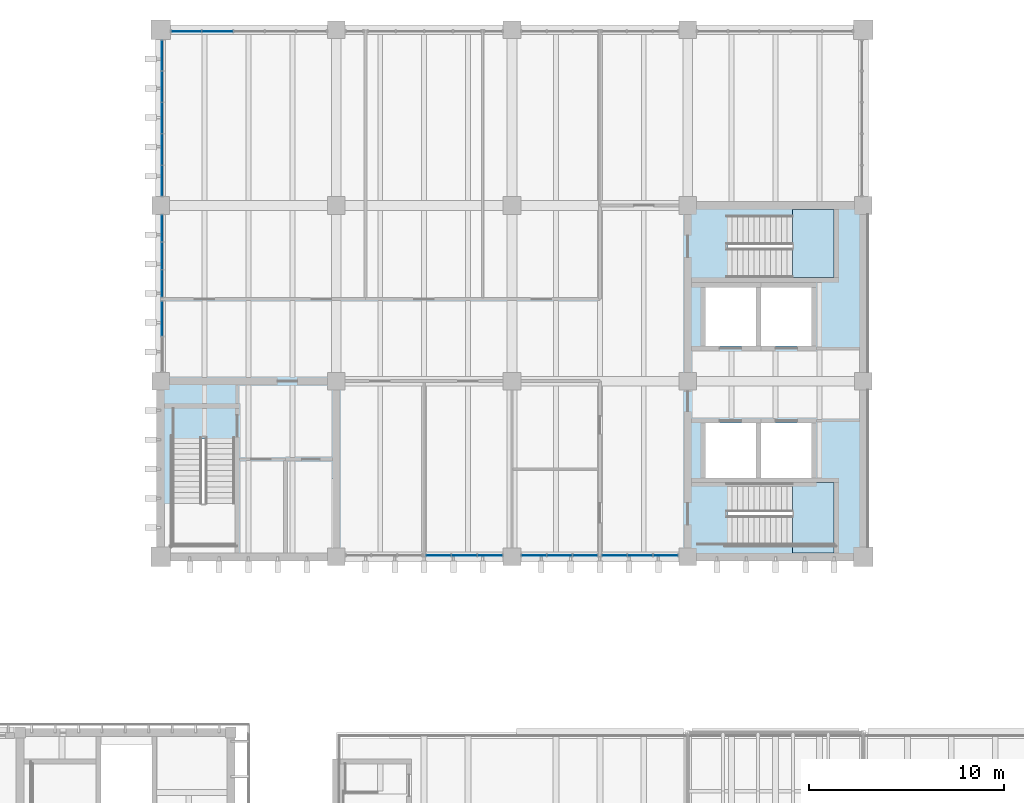
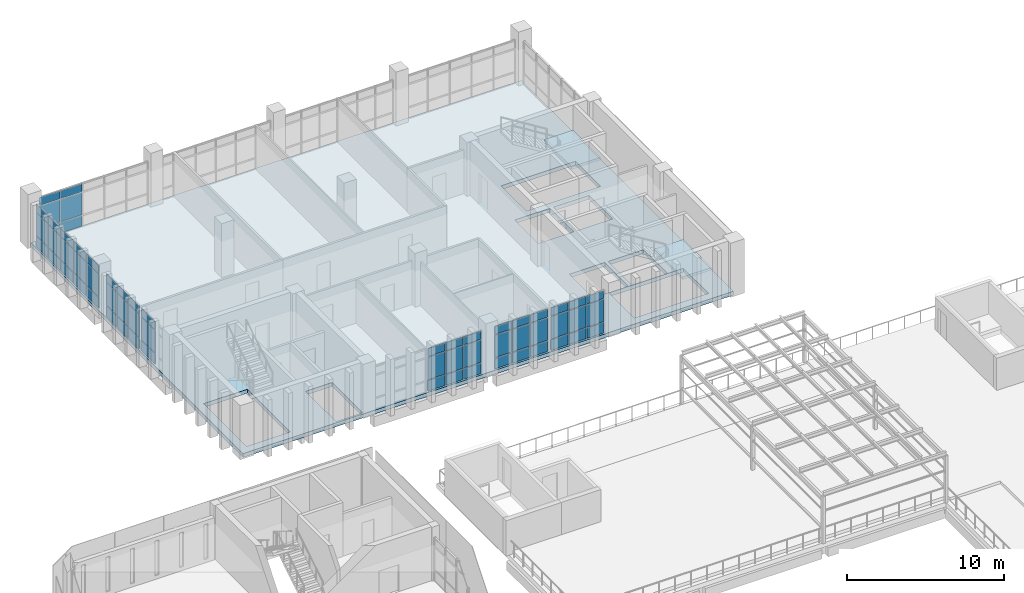
# One storey, part 38 of 74: 60 plates, 3 slabs, 9 elements without a shape of their own.
"""IFC4 building model written with IfcOpenShell, lengths in metres."""

from ifc_helpers import new_model, si_unit, direction, frame, origin, origin_2d, place, context, subcontext, project, spatial, polyline, rectangle, outline, extrude, material, layer, layer_set, type_object, element, aggregate, save


model = new_model("IFC4")

# Units and contexts
model_context = context("Model", 3, precision=1e-05, world=origin(), true_north=direction((0.0, 1.0)))
body_context = subcontext(model_context, "Body", "Model", "MODEL_VIEW")
ifc_project = project(units=[si_unit("LENGTHUNIT", "METRE"), si_unit("AREAUNIT", "SQUARE_METRE"), si_unit("VOLUMEUNIT", "CUBIC_METRE"), si_unit("PLANEANGLEUNIT", "RADIAN"), si_unit("MASSUNIT", "GRAM", prefix="KILO")], contexts=[model_context])

# Site, building, storey
site_placement = place(None, origin())
site = spatial("IfcSite", under=ifc_project, at=site_placement, CompositionType="ELEMENT")
building_placement = place(site_placement, origin())
building = spatial("IfcBuilding", under=site, at=building_placement, Name="Merrow Basin Faculty of Sciences", CompositionType="ELEMENT")
storey_placement = place(building_placement, frame((0.0, 0.0, 13.5)))
storey = spatial("IfcBuildingStorey", under=building, at=storey_placement, Name="L03", CompositionType="ELEMENT", Elevation=13.5)

# Slab
ifc_material_1 = material(Name="Concrete C40/50", Category="concrete")
ifc_layer_1 = layer(ifc_material_1, 0.300048828125)
ifc_layer_set_1 = layer_set([ifc_layer_1], Name="Floor slab 300 Concrete C40/50")
slab_type_1 = type_object("IfcSlabType", Name="Floor slab 300 Concrete C40/50", PredefinedType="FLOOR", material=ifc_layer_set_1)
slab_1_placement = place(storey_placement, frame((0.0, 0.0, -0.300048828125)))
element("IfcSlab", 1, at=slab_1_placement, inside=storey, type_object=slab_type_1, Name="SL11 floor L03 001", PredefinedType="FLOOR", context=body_context, shape_type="SweptSolid", body=[
    extrude(outline(polyline([(18.0, 169.0), (54.0, 169.0), (54.0, 142.0), (18.0, 142.0), (18.0, 169.0)]), holes=[polyline([(47.050048828125, 142.60009765625), (52.5, 142.60009765625), (52.5, 145.800048828125), (47.050048828125, 145.800048828125), (47.050048828125, 142.60009765625)]), polyline([(47.050048828125, 156.300048828125), (52.5, 156.300048828125), (52.5, 159.5), (47.050048828125, 159.5), (47.050048828125, 156.300048828125)]), polyline([(48.75, 145.85009765625), (51.35009765625, 145.85009765625), (51.35009765625, 148.85009765625), (48.75, 148.85009765625), (48.75, 145.85009765625)]), polyline([(48.75, 152.800048828125), (51.35009765625, 152.800048828125), (51.35009765625, 155.800048828125), (48.75, 155.800048828125), (48.75, 152.800048828125)]), polyline([(45.89990234375, 145.85009765625), (48.5, 145.85009765625), (48.5, 148.85009765625), (45.89990234375, 148.85009765625), (45.89990234375, 145.85009765625)]), polyline([(45.89990234375, 152.800048828125), (48.5, 152.800048828125), (48.5, 155.800048828125), (45.89990234375, 155.800048828125), (45.89990234375, 152.800048828125)]), polyline([(24.90087890625, 142.14990234375), (26.85009765625, 142.14990234375), (26.85009765625, 146.0), (24.90087890625, 146.0), (24.90087890625, 142.14990234375)]), polyline([(18.60009765625, 142.60009765625), (21.800048828125, 142.60009765625), (21.800048828125, 148.050048828125), (18.60009765625, 148.050048828125), (18.60009765625, 142.60009765625)])]), origin(), (0.0, 0.0, 1.0), 0.300048828125),
])

# Curtain wall, plate
ifc_material_2 = material(Name="Aluminium alloy 6063", Category="aluminium")
curtain_wall_type = type_object("IfcCurtainWallType", Name="Unitised curtain wall 160", PredefinedType="NOTDEFINED", material=ifc_material_2)
curtain_wall_1_placement = place(storey_placement, origin())
curtain_wall_1 = element("IfcCurtainWall", 2, at=curtain_wall_1_placement, inside=storey, type_object=curtain_wall_type, Name="W curtain wall L03 1", PredefinedType="NOTDEFINED")
ifc_material_3 = material(Name="Insulated aluminium spandrel panel", Category="aluminium")
ifc_layer_2 = layer(ifc_material_3, 0.052001953125)
ifc_layer_set_2 = layer_set([ifc_layer_2], Name="Insulated spandrel panel 52")
plate_type_1 = type_object("IfcPlateType", Name="Insulated spandrel panel 52", PredefinedType="CURTAIN_PANEL", material=ifc_layer_set_2)
plate_1_placement = place(storey_placement, frame((18.080078125, 154.191162109375, 0.06005859375), z_axis=(0.0, 0.0, 1.0), x_axis=(0.0, 1.0, 0.0)))
plate_1 = element("IfcPlate", 3, at=plate_1_placement, type_object=plate_type_1, Name="CW3 panel 2.1", PredefinedType="CURTAIN_PANEL", context=body_context, shape_type="SweptSolid", body=[
    extrude(rectangle(XDim=1.74755859375, YDim=0.052001953125, at=origin_2d()), origin(), (0.0, 0.0, 1.0), 0.81005859375),
])

# Curtain wall, plates
curtain_wall_2_placement = place(storey_placement, origin())
curtain_wall_2 = element("IfcCurtainWall", 4, at=curtain_wall_2_placement, inside=storey, type_object=curtain_wall_type, Name="W curtain wall L03 2", PredefinedType="NOTDEFINED")
plate_2_placement = place(storey_placement, frame((18.080078125, 156.00244140625, 0.06005859375), z_axis=(0.0, 0.0, 1.0), x_axis=(0.0, 1.0, 0.0)))
plate_2 = element("IfcPlate", 5, at=plate_2_placement, type_object=plate_type_1, Name="CW3 panel 1.1", PredefinedType="CURTAIN_PANEL", context=body_context, shape_type="SweptSolid", body=[
    extrude(rectangle(XDim=1.3349609375, YDim=0.052001953125, at=origin_2d()), origin(), (0.0, 0.0, 1.0), 0.81005859375),
])
plate_3_placement = place(storey_placement, frame((18.080078125, 157.41259765625, 0.06005859375), z_axis=(0.0, 0.0, 1.0), x_axis=(0.0, 1.0, 0.0)))
plate_3 = element("IfcPlate", 6, at=plate_3_placement, type_object=plate_type_1, Name="CW3 panel 2.1", PredefinedType="CURTAIN_PANEL", context=body_context, shape_type="SweptSolid", body=[
    extrude(rectangle(XDim=1.364990234375, YDim=0.052001953125, at=origin_2d()), origin(), (0.0, 0.0, 1.0), 0.81005859375),
])
plate_4_placement = place(storey_placement, frame((18.080078125, 158.822509765625, 0.06005859375), z_axis=(0.0, 0.0, 1.0), x_axis=(0.0, 1.0, 0.0)))
plate_4 = element("IfcPlate", 7, at=plate_4_placement, type_object=plate_type_1, Name="CW3 panel 3.1", PredefinedType="CURTAIN_PANEL", context=body_context, shape_type="SweptSolid", body=[
    extrude(rectangle(XDim=1.3349609375, YDim=0.052001953125, at=origin_2d()), origin(), (0.0, 0.0, 1.0), 0.81005859375),
])

curtain_wall_3_placement = place(storey_placement, origin())
curtain_wall_3 = element("IfcCurtainWall", 8, at=curtain_wall_3_placement, inside=storey, type_object=curtain_wall_type, Name="W curtain wall L03 3", PredefinedType="NOTDEFINED")
plate_5_placement = place(storey_placement, frame((18.080078125, 161.27001953125, 0.06005859375), z_axis=(0.0, 0.0, 1.0), x_axis=(0.0, 1.0, 0.0)))
plate_5 = element("IfcPlate", 9, at=plate_5_placement, type_object=plate_type_1, Name="CW3 panel 1.1", PredefinedType="CURTAIN_PANEL", context=body_context, shape_type="SweptSolid", body=[
    extrude(rectangle(XDim=1.52001953125, YDim=0.052001953125, at=origin_2d()), origin(), (0.0, 0.0, 1.0), 0.81005859375),
])
plate_6_placement = place(storey_placement, frame((18.080078125, 162.864990234375, 0.06005859375), z_axis=(0.0, 0.0, 1.0), x_axis=(0.0, 1.0, 0.0)))
plate_6 = element("IfcPlate", 10, at=plate_6_placement, type_object=plate_type_1, Name="CW3 panel 2.1", PredefinedType="CURTAIN_PANEL", context=body_context, shape_type="SweptSolid", body=[
    extrude(rectangle(XDim=1.550048828125, YDim=0.052001953125, at=origin_2d()), origin(), (0.0, 0.0, 1.0), 0.81005859375),
])
plate_7_placement = place(storey_placement, frame((18.080078125, 164.47509765625, 0.06005859375), z_axis=(0.0, 0.0, 1.0), x_axis=(0.0, 1.0, 0.0)))
plate_7 = element("IfcPlate", 11, at=plate_7_placement, type_object=plate_type_1, Name="CW3 panel 3.1", PredefinedType="CURTAIN_PANEL", context=body_context, shape_type="SweptSolid", body=[
    extrude(rectangle(XDim=1.550048828125, YDim=0.052001953125, at=origin_2d()), origin(), (0.0, 0.0, 1.0), 0.81005859375),
])
plate_8_placement = place(storey_placement, frame((18.080078125, 166.0849609375, 0.06005859375), z_axis=(0.0, 0.0, 1.0), x_axis=(0.0, 1.0, 0.0)))
plate_8 = element("IfcPlate", 12, at=plate_8_placement, type_object=plate_type_1, Name="CW3 panel 4.1", PredefinedType="CURTAIN_PANEL", context=body_context, shape_type="SweptSolid", body=[
    extrude(rectangle(XDim=1.550048828125, YDim=0.052001953125, at=origin_2d()), origin(), (0.0, 0.0, 1.0), 0.81005859375),
])
plate_9_placement = place(storey_placement, frame((18.080078125, 167.679931640625, 0.06005859375), z_axis=(0.0, 0.0, 1.0), x_axis=(0.0, 1.0, 0.0)))
plate_9 = element("IfcPlate", 13, at=plate_9_placement, type_object=plate_type_1, Name="CW3 panel 5.1", PredefinedType="CURTAIN_PANEL", context=body_context, shape_type="SweptSolid", body=[
    extrude(rectangle(XDim=1.52001953125, YDim=0.052001953125, at=origin_2d()), origin(), (0.0, 0.0, 1.0), 0.81005859375),
])

curtain_wall_4_placement = place(storey_placement, origin())
curtain_wall_4 = element("IfcCurtainWall", 14, at=curtain_wall_4_placement, inside=storey, type_object=curtain_wall_type, Name="N curtain wall L03 1", PredefinedType="NOTDEFINED")
plate_10_placement = place(storey_placement, frame((19.320068359375, 168.919921875, 0.06005859375), z_axis=(0.0, 0.0, 1.0), x_axis=(1.0, 0.0, 0.0)))
plate_10 = element("IfcPlate", 15, at=plate_10_placement, type_object=plate_type_1, Name="CW3 panel 1.1", PredefinedType="CURTAIN_PANEL", context=body_context, shape_type="SweptSolid", body=[
    extrude(rectangle(XDim=1.52001953125, YDim=0.052001953125, at=origin_2d()), origin(), (0.0, 0.0, 1.0), 0.81005859375),
])
plate_11_placement = place(storey_placement, frame((20.9150390625, 168.919921875, 0.06005859375), z_axis=(0.0, 0.0, 1.0), x_axis=(1.0, 0.0, 0.0)))
plate_11 = element("IfcPlate", 16, at=plate_11_placement, type_object=plate_type_1, Name="CW3 panel 2.1", PredefinedType="CURTAIN_PANEL", context=body_context, shape_type="SweptSolid", body=[
    extrude(rectangle(XDim=1.550048828125, YDim=0.052001953125, at=origin_2d()), origin(), (0.0, 0.0, 1.0), 0.81005859375),
])

curtain_wall_5_placement = place(storey_placement, origin())
curtain_wall_5 = element("IfcCurtainWall", 17, at=curtain_wall_5_placement, inside=storey, type_object=curtain_wall_type, Name="S curtain wall L03 2", PredefinedType="NOTDEFINED")
plate_12_placement = place(storey_placement, frame((32.231689453125, 142.080078125, 0.06005859375), z_axis=(0.0, 0.0, 1.0), x_axis=(1.0, 0.0, 0.0)))
plate_12 = element("IfcPlate", 18, at=plate_12_placement, type_object=plate_type_1, Name="CW3 panel 1.1", PredefinedType="CURTAIN_PANEL", context=body_context, shape_type="SweptSolid", body=[
    extrude(rectangle(XDim=1.243408203125, YDim=0.052001953125, at=origin_2d()), origin(), (0.0, 0.0, 1.0), 0.81005859375),
])
plate_13_placement = place(storey_placement, frame((33.550048828125, 142.080078125, 0.06005859375), z_axis=(0.0, 0.0, 1.0), x_axis=(1.0, 0.0, 0.0)))
plate_13 = element("IfcPlate", 19, at=plate_13_placement, type_object=plate_type_1, Name="CW3 panel 2.1", PredefinedType="CURTAIN_PANEL", context=body_context, shape_type="SweptSolid", body=[
    extrude(rectangle(XDim=1.2734375, YDim=0.052001953125, at=origin_2d()), origin(), (0.0, 0.0, 1.0), 0.81005859375),
])
plate_14_placement = place(storey_placement, frame((34.868408203125, 142.080078125, 0.06005859375), z_axis=(0.0, 0.0, 1.0), x_axis=(1.0, 0.0, 0.0)))
plate_14 = element("IfcPlate", 20, at=plate_14_placement, type_object=plate_type_1, Name="CW3 panel 3.1", PredefinedType="CURTAIN_PANEL", context=body_context, shape_type="SweptSolid", body=[
    extrude(rectangle(XDim=1.243408203125, YDim=0.052001953125, at=origin_2d()), origin(), (0.0, 0.0, 1.0), 0.81005859375),
])

curtain_wall_6_placement = place(storey_placement, origin())
curtain_wall_6 = element("IfcCurtainWall", 21, at=curtain_wall_6_placement, inside=storey, type_object=curtain_wall_type, Name="S curtain wall L03 3", PredefinedType="NOTDEFINED")
plate_15_placement = place(storey_placement, frame((37.12744140625, 142.080078125, 0.06005859375), z_axis=(0.0, 0.0, 1.0), x_axis=(1.0, 0.0, 0.0)))
plate_15 = element("IfcPlate", 22, at=plate_15_placement, type_object=plate_type_1, Name="CW3 panel 1.1", PredefinedType="CURTAIN_PANEL", context=body_context, shape_type="SweptSolid", body=[
    extrude(rectangle(XDim=1.235107421875, YDim=0.052001953125, at=origin_2d()), origin(), (0.0, 0.0, 1.0), 0.81005859375),
])
plate_16_placement = place(storey_placement, frame((38.4375, 142.080078125, 0.06005859375), z_axis=(0.0, 0.0, 1.0), x_axis=(1.0, 0.0, 0.0)))
plate_16 = element("IfcPlate", 23, at=plate_16_placement, type_object=plate_type_1, Name="CW3 panel 2.1", PredefinedType="CURTAIN_PANEL", context=body_context, shape_type="SweptSolid", body=[
    extrude(rectangle(XDim=1.264892578125, YDim=0.052001953125, at=origin_2d()), origin(), (0.0, 0.0, 1.0), 0.81005859375),
])
plate_17_placement = place(storey_placement, frame((39.74755859375, 142.080078125, 0.06005859375), z_axis=(0.0, 0.0, 1.0), x_axis=(1.0, 0.0, 0.0)))
plate_17 = element("IfcPlate", 24, at=plate_17_placement, type_object=plate_type_1, Name="CW3 panel 3.1", PredefinedType="CURTAIN_PANEL", context=body_context, shape_type="SweptSolid", body=[
    extrude(rectangle(XDim=1.235107421875, YDim=0.052001953125, at=origin_2d()), origin(), (0.0, 0.0, 1.0), 0.81005859375),
])

curtain_wall_7_placement = place(storey_placement, origin())
curtain_wall_7 = element("IfcCurtainWall", 25, at=curtain_wall_7_placement, inside=storey, type_object=curtain_wall_type, Name="S curtain wall L03 4", PredefinedType="NOTDEFINED")
plate_18_placement = place(storey_placement, frame((41.25244140625, 142.080078125, 0.06005859375), z_axis=(0.0, 0.0, 1.0), x_axis=(1.0, 0.0, 0.0)))
plate_18 = element("IfcPlate", 26, at=plate_18_placement, type_object=plate_type_1, Name="CW3 panel 1.1", PredefinedType="CURTAIN_PANEL", context=body_context, shape_type="SweptSolid", body=[
    extrude(rectangle(XDim=1.235107421875, YDim=0.052001953125, at=origin_2d()), origin(), (0.0, 0.0, 1.0), 0.81005859375),
])
plate_19_placement = place(storey_placement, frame((42.5625, 142.080078125, 0.06005859375), z_axis=(0.0, 0.0, 1.0), x_axis=(1.0, 0.0, 0.0)))
plate_19 = element("IfcPlate", 27, at=plate_19_placement, type_object=plate_type_1, Name="CW3 panel 2.1", PredefinedType="CURTAIN_PANEL", context=body_context, shape_type="SweptSolid", body=[
    extrude(rectangle(XDim=1.264892578125, YDim=0.052001953125, at=origin_2d()), origin(), (0.0, 0.0, 1.0), 0.81005859375),
])
plate_20_placement = place(storey_placement, frame((43.87255859375, 142.080078125, 0.06005859375), z_axis=(0.0, 0.0, 1.0), x_axis=(1.0, 0.0, 0.0)))
plate_20 = element("IfcPlate", 28, at=plate_20_placement, type_object=plate_type_1, Name="CW3 panel 3.1", PredefinedType="CURTAIN_PANEL", context=body_context, shape_type="SweptSolid", body=[
    extrude(rectangle(XDim=1.235107421875, YDim=0.052001953125, at=origin_2d()), origin(), (0.0, 0.0, 1.0), 0.81005859375),
])

# Plate
ifc_material_4 = material(Name="Low-E double glazing", Category="glass")
ifc_layer_3 = layer(ifc_material_4, 0.028076171875)
ifc_layer_set_3 = layer_set([ifc_layer_3], Name="Low-E double glazed panel 28")
plate_type_2 = type_object("IfcPlateType", Name="Low-E double glazed panel 28", PredefinedType="CURTAIN_PANEL", material=ifc_layer_set_3)
plate_21_placement = place(storey_placement, frame((18.080078125, 154.191162109375, 0.93017578125), z_axis=(0.0, 0.0, 1.0), x_axis=(0.0, 1.0, 0.0)))
plate_21 = element("IfcPlate", 29, at=plate_21_placement, type_object=plate_type_2, Name="CW3 panel 2.2", PredefinedType="CURTAIN_PANEL", context=body_context, shape_type="SweptSolid", body=[
    extrude(rectangle(XDim=1.74755859375, YDim=0.028076171875, at=origin_2d()), origin(), (0.0, 0.0, 1.0), 1.739990234375),
])

plate_22_placement = place(storey_placement, frame((18.080078125, 154.191162109375, 2.72998046875), z_axis=(0.0, 0.0, 1.0), x_axis=(0.0, 1.0, 0.0)))
plate_22 = element("IfcPlate", 30, at=plate_22_placement, type_object=plate_type_2, Name="CW3 panel 2.3", PredefinedType="CURTAIN_PANEL", context=body_context, shape_type="SweptSolid", body=[
    extrude(rectangle(XDim=1.74755859375, YDim=0.028076171875, at=origin_2d()), origin(), (0.0, 0.0, 1.0), 0.610107421875),
])

aggregate(curtain_wall_1, [plate_1, plate_21, plate_22])

plate_23_placement = place(storey_placement, frame((18.080078125, 156.00244140625, 0.93017578125), z_axis=(0.0, 0.0, 1.0), x_axis=(0.0, 1.0, 0.0)))
plate_23 = element("IfcPlate", 31, at=plate_23_placement, type_object=plate_type_2, Name="CW3 panel 1.2", PredefinedType="CURTAIN_PANEL", context=body_context, shape_type="SweptSolid", body=[
    extrude(rectangle(XDim=1.3349609375, YDim=0.028076171875, at=origin_2d()), origin(), (0.0, 0.0, 1.0), 1.739990234375),
])

plate_24_placement = place(storey_placement, frame((18.080078125, 156.00244140625, 2.72998046875), z_axis=(0.0, 0.0, 1.0), x_axis=(0.0, 1.0, 0.0)))
plate_24 = element("IfcPlate", 32, at=plate_24_placement, type_object=plate_type_2, Name="CW3 panel 1.3", PredefinedType="CURTAIN_PANEL", context=body_context, shape_type="SweptSolid", body=[
    extrude(rectangle(XDim=1.3349609375, YDim=0.028076171875, at=origin_2d()), origin(), (0.0, 0.0, 1.0), 0.610107421875),
])

plate_25_placement = place(storey_placement, frame((18.080078125, 157.41259765625, 0.93017578125), z_axis=(0.0, 0.0, 1.0), x_axis=(0.0, 1.0, 0.0)))
plate_25 = element("IfcPlate", 33, at=plate_25_placement, type_object=plate_type_2, Name="CW3 panel 2.2", PredefinedType="CURTAIN_PANEL", context=body_context, shape_type="SweptSolid", body=[
    extrude(rectangle(XDim=1.364990234375, YDim=0.028076171875, at=origin_2d()), origin(), (0.0, 0.0, 1.0), 1.739990234375),
])

plate_26_placement = place(storey_placement, frame((18.080078125, 157.41259765625, 2.72998046875), z_axis=(0.0, 0.0, 1.0), x_axis=(0.0, 1.0, 0.0)))
plate_26 = element("IfcPlate", 34, at=plate_26_placement, type_object=plate_type_2, Name="CW3 panel 2.3", PredefinedType="CURTAIN_PANEL", context=body_context, shape_type="SweptSolid", body=[
    extrude(rectangle(XDim=1.364990234375, YDim=0.028076171875, at=origin_2d()), origin(), (0.0, 0.0, 1.0), 0.610107421875),
])

plate_27_placement = place(storey_placement, frame((18.080078125, 158.822509765625, 0.93017578125), z_axis=(0.0, 0.0, 1.0), x_axis=(0.0, 1.0, 0.0)))
plate_27 = element("IfcPlate", 35, at=plate_27_placement, type_object=plate_type_2, Name="CW3 panel 3.2", PredefinedType="CURTAIN_PANEL", context=body_context, shape_type="SweptSolid", body=[
    extrude(rectangle(XDim=1.3349609375, YDim=0.028076171875, at=origin_2d()), origin(), (0.0, 0.0, 1.0), 1.739990234375),
])

plate_28_placement = place(storey_placement, frame((18.080078125, 158.822509765625, 2.72998046875), z_axis=(0.0, 0.0, 1.0), x_axis=(0.0, 1.0, 0.0)))
plate_28 = element("IfcPlate", 36, at=plate_28_placement, type_object=plate_type_2, Name="CW3 panel 3.3", PredefinedType="CURTAIN_PANEL", context=body_context, shape_type="SweptSolid", body=[
    extrude(rectangle(XDim=1.3349609375, YDim=0.028076171875, at=origin_2d()), origin(), (0.0, 0.0, 1.0), 0.610107421875),
])

aggregate(curtain_wall_2, [plate_2, plate_23, plate_24, plate_3, plate_25, plate_26, plate_4, plate_27, plate_28])

plate_29_placement = place(storey_placement, frame((18.080078125, 161.27001953125, 0.93017578125), z_axis=(0.0, 0.0, 1.0), x_axis=(0.0, 1.0, 0.0)))
plate_29 = element("IfcPlate", 37, at=plate_29_placement, type_object=plate_type_2, Name="CW3 panel 1.2", PredefinedType="CURTAIN_PANEL", context=body_context, shape_type="SweptSolid", body=[
    extrude(rectangle(XDim=1.52001953125, YDim=0.028076171875, at=origin_2d()), origin(), (0.0, 0.0, 1.0), 1.739990234375),
])

plate_30_placement = place(storey_placement, frame((18.080078125, 161.27001953125, 2.72998046875), z_axis=(0.0, 0.0, 1.0), x_axis=(0.0, 1.0, 0.0)))
plate_30 = element("IfcPlate", 38, at=plate_30_placement, type_object=plate_type_2, Name="CW3 panel 1.3", PredefinedType="CURTAIN_PANEL", context=body_context, shape_type="SweptSolid", body=[
    extrude(rectangle(XDim=1.52001953125, YDim=0.028076171875, at=origin_2d()), origin(), (0.0, 0.0, 1.0), 0.610107421875),
])

plate_31_placement = place(storey_placement, frame((18.080078125, 162.864990234375, 0.93017578125), z_axis=(0.0, 0.0, 1.0), x_axis=(0.0, 1.0, 0.0)))
plate_31 = element("IfcPlate", 39, at=plate_31_placement, type_object=plate_type_2, Name="CW3 panel 2.2", PredefinedType="CURTAIN_PANEL", context=body_context, shape_type="SweptSolid", body=[
    extrude(rectangle(XDim=1.550048828125, YDim=0.028076171875, at=origin_2d()), origin(), (0.0, 0.0, 1.0), 1.739990234375),
])

plate_32_placement = place(storey_placement, frame((18.080078125, 162.864990234375, 2.72998046875), z_axis=(0.0, 0.0, 1.0), x_axis=(0.0, 1.0, 0.0)))
plate_32 = element("IfcPlate", 40, at=plate_32_placement, type_object=plate_type_2, Name="CW3 panel 2.3", PredefinedType="CURTAIN_PANEL", context=body_context, shape_type="SweptSolid", body=[
    extrude(rectangle(XDim=1.550048828125, YDim=0.028076171875, at=origin_2d()), origin(), (0.0, 0.0, 1.0), 0.610107421875),
])

plate_33_placement = place(storey_placement, frame((18.080078125, 164.47509765625, 0.93017578125), z_axis=(0.0, 0.0, 1.0), x_axis=(0.0, 1.0, 0.0)))
plate_33 = element("IfcPlate", 41, at=plate_33_placement, type_object=plate_type_2, Name="CW3 panel 3.2", PredefinedType="CURTAIN_PANEL", context=body_context, shape_type="SweptSolid", body=[
    extrude(rectangle(XDim=1.550048828125, YDim=0.028076171875, at=origin_2d()), origin(), (0.0, 0.0, 1.0), 1.739990234375),
])

plate_34_placement = place(storey_placement, frame((18.080078125, 164.47509765625, 2.72998046875), z_axis=(0.0, 0.0, 1.0), x_axis=(0.0, 1.0, 0.0)))
plate_34 = element("IfcPlate", 42, at=plate_34_placement, type_object=plate_type_2, Name="CW3 panel 3.3", PredefinedType="CURTAIN_PANEL", context=body_context, shape_type="SweptSolid", body=[
    extrude(rectangle(XDim=1.550048828125, YDim=0.028076171875, at=origin_2d()), origin(), (0.0, 0.0, 1.0), 0.610107421875),
])

plate_35_placement = place(storey_placement, frame((18.080078125, 166.0849609375, 0.93017578125), z_axis=(0.0, 0.0, 1.0), x_axis=(0.0, 1.0, 0.0)))
plate_35 = element("IfcPlate", 43, at=plate_35_placement, type_object=plate_type_2, Name="CW3 panel 4.2", PredefinedType="CURTAIN_PANEL", context=body_context, shape_type="SweptSolid", body=[
    extrude(rectangle(XDim=1.550048828125, YDim=0.028076171875, at=origin_2d()), origin(), (0.0, 0.0, 1.0), 1.739990234375),
])

plate_36_placement = place(storey_placement, frame((18.080078125, 166.0849609375, 2.72998046875), z_axis=(0.0, 0.0, 1.0), x_axis=(0.0, 1.0, 0.0)))
plate_36 = element("IfcPlate", 44, at=plate_36_placement, type_object=plate_type_2, Name="CW3 panel 4.3", PredefinedType="CURTAIN_PANEL", context=body_context, shape_type="SweptSolid", body=[
    extrude(rectangle(XDim=1.550048828125, YDim=0.028076171875, at=origin_2d()), origin(), (0.0, 0.0, 1.0), 0.610107421875),
])

plate_37_placement = place(storey_placement, frame((18.080078125, 167.679931640625, 0.93017578125), z_axis=(0.0, 0.0, 1.0), x_axis=(0.0, 1.0, 0.0)))
plate_37 = element("IfcPlate", 45, at=plate_37_placement, type_object=plate_type_2, Name="CW3 panel 5.2", PredefinedType="CURTAIN_PANEL", context=body_context, shape_type="SweptSolid", body=[
    extrude(rectangle(XDim=1.52001953125, YDim=0.028076171875, at=origin_2d()), origin(), (0.0, 0.0, 1.0), 1.739990234375),
])

plate_38_placement = place(storey_placement, frame((18.080078125, 167.679931640625, 2.72998046875), z_axis=(0.0, 0.0, 1.0), x_axis=(0.0, 1.0, 0.0)))
plate_38 = element("IfcPlate", 46, at=plate_38_placement, type_object=plate_type_2, Name="CW3 panel 5.3", PredefinedType="CURTAIN_PANEL", context=body_context, shape_type="SweptSolid", body=[
    extrude(rectangle(XDim=1.52001953125, YDim=0.028076171875, at=origin_2d()), origin(), (0.0, 0.0, 1.0), 0.610107421875),
])

aggregate(curtain_wall_3, [plate_5, plate_29, plate_30, plate_6, plate_31, plate_32, plate_7, plate_33, plate_34, plate_8, plate_35, plate_36, plate_9, plate_37, plate_38])

plate_39_placement = place(storey_placement, frame((19.320068359375, 168.919921875, 0.93017578125), z_axis=(0.0, 0.0, 1.0), x_axis=(1.0, 0.0, 0.0)))
plate_39 = element("IfcPlate", 47, at=plate_39_placement, type_object=plate_type_2, Name="CW3 panel 1.2", PredefinedType="CURTAIN_PANEL", context=body_context, shape_type="SweptSolid", body=[
    extrude(rectangle(XDim=1.52001953125, YDim=0.028076171875, at=origin_2d()), origin(), (0.0, 0.0, 1.0), 1.739990234375),
])

plate_40_placement = place(storey_placement, frame((19.320068359375, 168.919921875, 2.72998046875), z_axis=(0.0, 0.0, 1.0), x_axis=(1.0, 0.0, 0.0)))
plate_40 = element("IfcPlate", 48, at=plate_40_placement, type_object=plate_type_2, Name="CW3 panel 1.3", PredefinedType="CURTAIN_PANEL", context=body_context, shape_type="SweptSolid", body=[
    extrude(rectangle(XDim=1.52001953125, YDim=0.028076171875, at=origin_2d()), origin(), (0.0, 0.0, 1.0), 0.610107421875),
])

plate_41_placement = place(storey_placement, frame((20.9150390625, 168.919921875, 0.93017578125), z_axis=(0.0, 0.0, 1.0), x_axis=(1.0, 0.0, 0.0)))
plate_41 = element("IfcPlate", 49, at=plate_41_placement, type_object=plate_type_2, Name="CW3 panel 2.2", PredefinedType="CURTAIN_PANEL", context=body_context, shape_type="SweptSolid", body=[
    extrude(rectangle(XDim=1.550048828125, YDim=0.028076171875, at=origin_2d()), origin(), (0.0, 0.0, 1.0), 1.739990234375),
])

plate_42_placement = place(storey_placement, frame((20.9150390625, 168.919921875, 2.72998046875), z_axis=(0.0, 0.0, 1.0), x_axis=(1.0, 0.0, 0.0)))
plate_42 = element("IfcPlate", 50, at=plate_42_placement, type_object=plate_type_2, Name="CW3 panel 2.3", PredefinedType="CURTAIN_PANEL", context=body_context, shape_type="SweptSolid", body=[
    extrude(rectangle(XDim=1.550048828125, YDim=0.028076171875, at=origin_2d()), origin(), (0.0, 0.0, 1.0), 0.610107421875),
])

aggregate(curtain_wall_4, [plate_10, plate_39, plate_40, plate_11, plate_41, plate_42])

plate_43_placement = place(storey_placement, frame((32.231689453125, 142.080078125, 0.93017578125), z_axis=(0.0, 0.0, 1.0), x_axis=(1.0, 0.0, 0.0)))
plate_43 = element("IfcPlate", 51, at=plate_43_placement, type_object=plate_type_2, Name="CW3 panel 1.2", PredefinedType="CURTAIN_PANEL", context=body_context, shape_type="SweptSolid", body=[
    extrude(rectangle(XDim=1.243408203125, YDim=0.028076171875, at=origin_2d()), origin(), (0.0, 0.0, 1.0), 1.739990234375),
])

plate_44_placement = place(storey_placement, frame((32.231689453125, 142.080078125, 2.72998046875), z_axis=(0.0, 0.0, 1.0), x_axis=(1.0, 0.0, 0.0)))
plate_44 = element("IfcPlate", 52, at=plate_44_placement, type_object=plate_type_2, Name="CW3 panel 1.3", PredefinedType="CURTAIN_PANEL", context=body_context, shape_type="SweptSolid", body=[
    extrude(rectangle(XDim=1.243408203125, YDim=0.028076171875, at=origin_2d()), origin(), (0.0, 0.0, 1.0), 0.610107421875),
])

plate_45_placement = place(storey_placement, frame((33.550048828125, 142.080078125, 0.93017578125), z_axis=(0.0, 0.0, 1.0), x_axis=(1.0, 0.0, 0.0)))
plate_45 = element("IfcPlate", 53, at=plate_45_placement, type_object=plate_type_2, Name="CW3 panel 2.2", PredefinedType="CURTAIN_PANEL", context=body_context, shape_type="SweptSolid", body=[
    extrude(rectangle(XDim=1.2734375, YDim=0.028076171875, at=origin_2d()), origin(), (0.0, 0.0, 1.0), 1.739990234375),
])

plate_46_placement = place(storey_placement, frame((33.550048828125, 142.080078125, 2.72998046875), z_axis=(0.0, 0.0, 1.0), x_axis=(1.0, 0.0, 0.0)))
plate_46 = element("IfcPlate", 54, at=plate_46_placement, type_object=plate_type_2, Name="CW3 panel 2.3", PredefinedType="CURTAIN_PANEL", context=body_context, shape_type="SweptSolid", body=[
    extrude(rectangle(XDim=1.2734375, YDim=0.028076171875, at=origin_2d()), origin(), (0.0, 0.0, 1.0), 0.610107421875),
])

plate_47_placement = place(storey_placement, frame((34.868408203125, 142.080078125, 0.93017578125), z_axis=(0.0, 0.0, 1.0), x_axis=(1.0, 0.0, 0.0)))
plate_47 = element("IfcPlate", 55, at=plate_47_placement, type_object=plate_type_2, Name="CW3 panel 3.2", PredefinedType="CURTAIN_PANEL", context=body_context, shape_type="SweptSolid", body=[
    extrude(rectangle(XDim=1.243408203125, YDim=0.028076171875, at=origin_2d()), origin(), (0.0, 0.0, 1.0), 1.739990234375),
])

plate_48_placement = place(storey_placement, frame((34.868408203125, 142.080078125, 2.72998046875), z_axis=(0.0, 0.0, 1.0), x_axis=(1.0, 0.0, 0.0)))
plate_48 = element("IfcPlate", 56, at=plate_48_placement, type_object=plate_type_2, Name="CW3 panel 3.3", PredefinedType="CURTAIN_PANEL", context=body_context, shape_type="SweptSolid", body=[
    extrude(rectangle(XDim=1.243408203125, YDim=0.028076171875, at=origin_2d()), origin(), (0.0, 0.0, 1.0), 0.610107421875),
])

aggregate(curtain_wall_5, [plate_12, plate_43, plate_44, plate_13, plate_45, plate_46, plate_14, plate_47, plate_48])

plate_49_placement = place(storey_placement, frame((37.12744140625, 142.080078125, 0.93017578125), z_axis=(0.0, 0.0, 1.0), x_axis=(1.0, 0.0, 0.0)))
plate_49 = element("IfcPlate", 57, at=plate_49_placement, type_object=plate_type_2, Name="CW3 panel 1.2", PredefinedType="CURTAIN_PANEL", context=body_context, shape_type="SweptSolid", body=[
    extrude(rectangle(XDim=1.235107421875, YDim=0.028076171875, at=origin_2d()), origin(), (0.0, 0.0, 1.0), 1.739990234375),
])

plate_50_placement = place(storey_placement, frame((37.12744140625, 142.080078125, 2.72998046875), z_axis=(0.0, 0.0, 1.0), x_axis=(1.0, 0.0, 0.0)))
plate_50 = element("IfcPlate", 58, at=plate_50_placement, type_object=plate_type_2, Name="CW3 panel 1.3", PredefinedType="CURTAIN_PANEL", context=body_context, shape_type="SweptSolid", body=[
    extrude(rectangle(XDim=1.235107421875, YDim=0.028076171875, at=origin_2d()), origin(), (0.0, 0.0, 1.0), 0.610107421875),
])

plate_51_placement = place(storey_placement, frame((38.4375, 142.080078125, 0.93017578125), z_axis=(0.0, 0.0, 1.0), x_axis=(1.0, 0.0, 0.0)))
plate_51 = element("IfcPlate", 59, at=plate_51_placement, type_object=plate_type_2, Name="CW3 panel 2.2", PredefinedType="CURTAIN_PANEL", context=body_context, shape_type="SweptSolid", body=[
    extrude(rectangle(XDim=1.264892578125, YDim=0.028076171875, at=origin_2d()), origin(), (0.0, 0.0, 1.0), 1.739990234375),
])

plate_52_placement = place(storey_placement, frame((38.4375, 142.080078125, 2.72998046875), z_axis=(0.0, 0.0, 1.0), x_axis=(1.0, 0.0, 0.0)))
plate_52 = element("IfcPlate", 60, at=plate_52_placement, type_object=plate_type_2, Name="CW3 panel 2.3", PredefinedType="CURTAIN_PANEL", context=body_context, shape_type="SweptSolid", body=[
    extrude(rectangle(XDim=1.264892578125, YDim=0.028076171875, at=origin_2d()), origin(), (0.0, 0.0, 1.0), 0.610107421875),
])

plate_53_placement = place(storey_placement, frame((39.74755859375, 142.080078125, 0.93017578125), z_axis=(0.0, 0.0, 1.0), x_axis=(1.0, 0.0, 0.0)))
plate_53 = element("IfcPlate", 61, at=plate_53_placement, type_object=plate_type_2, Name="CW3 panel 3.2", PredefinedType="CURTAIN_PANEL", context=body_context, shape_type="SweptSolid", body=[
    extrude(rectangle(XDim=1.235107421875, YDim=0.028076171875, at=origin_2d()), origin(), (0.0, 0.0, 1.0), 1.739990234375),
])

plate_54_placement = place(storey_placement, frame((39.74755859375, 142.080078125, 2.72998046875), z_axis=(0.0, 0.0, 1.0), x_axis=(1.0, 0.0, 0.0)))
plate_54 = element("IfcPlate", 62, at=plate_54_placement, type_object=plate_type_2, Name="CW3 panel 3.3", PredefinedType="CURTAIN_PANEL", context=body_context, shape_type="SweptSolid", body=[
    extrude(rectangle(XDim=1.235107421875, YDim=0.028076171875, at=origin_2d()), origin(), (0.0, 0.0, 1.0), 0.610107421875),
])

aggregate(curtain_wall_6, [plate_15, plate_49, plate_50, plate_16, plate_51, plate_52, plate_17, plate_53, plate_54])

plate_55_placement = place(storey_placement, frame((41.25244140625, 142.080078125, 0.93017578125), z_axis=(0.0, 0.0, 1.0), x_axis=(1.0, 0.0, 0.0)))
plate_55 = element("IfcPlate", 63, at=plate_55_placement, type_object=plate_type_2, Name="CW3 panel 1.2", PredefinedType="CURTAIN_PANEL", context=body_context, shape_type="SweptSolid", body=[
    extrude(rectangle(XDim=1.235107421875, YDim=0.028076171875, at=origin_2d()), origin(), (0.0, 0.0, 1.0), 1.739990234375),
])

plate_56_placement = place(storey_placement, frame((41.25244140625, 142.080078125, 2.72998046875), z_axis=(0.0, 0.0, 1.0), x_axis=(1.0, 0.0, 0.0)))
plate_56 = element("IfcPlate", 64, at=plate_56_placement, type_object=plate_type_2, Name="CW3 panel 1.3", PredefinedType="CURTAIN_PANEL", context=body_context, shape_type="SweptSolid", body=[
    extrude(rectangle(XDim=1.235107421875, YDim=0.028076171875, at=origin_2d()), origin(), (0.0, 0.0, 1.0), 0.610107421875),
])

plate_57_placement = place(storey_placement, frame((42.5625, 142.080078125, 0.93017578125), z_axis=(0.0, 0.0, 1.0), x_axis=(1.0, 0.0, 0.0)))
plate_57 = element("IfcPlate", 65, at=plate_57_placement, type_object=plate_type_2, Name="CW3 panel 2.2", PredefinedType="CURTAIN_PANEL", context=body_context, shape_type="SweptSolid", body=[
    extrude(rectangle(XDim=1.264892578125, YDim=0.028076171875, at=origin_2d()), origin(), (0.0, 0.0, 1.0), 1.739990234375),
])

plate_58_placement = place(storey_placement, frame((42.5625, 142.080078125, 2.72998046875), z_axis=(0.0, 0.0, 1.0), x_axis=(1.0, 0.0, 0.0)))
plate_58 = element("IfcPlate", 66, at=plate_58_placement, type_object=plate_type_2, Name="CW3 panel 2.3", PredefinedType="CURTAIN_PANEL", context=body_context, shape_type="SweptSolid", body=[
    extrude(rectangle(XDim=1.264892578125, YDim=0.028076171875, at=origin_2d()), origin(), (0.0, 0.0, 1.0), 0.610107421875),
])

plate_59_placement = place(storey_placement, frame((43.87255859375, 142.080078125, 0.93017578125), z_axis=(0.0, 0.0, 1.0), x_axis=(1.0, 0.0, 0.0)))
plate_59 = element("IfcPlate", 67, at=plate_59_placement, type_object=plate_type_2, Name="CW3 panel 3.2", PredefinedType="CURTAIN_PANEL", context=body_context, shape_type="SweptSolid", body=[
    extrude(rectangle(XDim=1.235107421875, YDim=0.028076171875, at=origin_2d()), origin(), (0.0, 0.0, 1.0), 1.739990234375),
])

plate_60_placement = place(storey_placement, frame((43.87255859375, 142.080078125, 2.72998046875), z_axis=(0.0, 0.0, 1.0), x_axis=(1.0, 0.0, 0.0)))
plate_60 = element("IfcPlate", 68, at=plate_60_placement, type_object=plate_type_2, Name="CW3 panel 3.3", PredefinedType="CURTAIN_PANEL", context=body_context, shape_type="SweptSolid", body=[
    extrude(rectangle(XDim=1.235107421875, YDim=0.028076171875, at=origin_2d()), origin(), (0.0, 0.0, 1.0), 0.610107421875),
])

aggregate(curtain_wall_7, [plate_18, plate_55, plate_56, plate_19, plate_57, plate_58, plate_20, plate_59, plate_60])

# Stair, slab
ifc_material_5 = material(Name="Concrete C40/50", Category="concrete")
stair_type = type_object("IfcStairType", Name="Concrete dog-leg stair Concrete C40/50", PredefinedType="HALF_TURN_STAIR", material=ifc_material_5)
stair_1_placement = place(storey_placement, origin())
stair_1 = element("IfcStair", 69, at=stair_1_placement, inside=storey, type_object=stair_type, Name="L03 Exit stair S", PredefinedType="HALF_TURN_STAIR")
ifc_material_6 = material(Name="Concrete C40/50", Category="concrete")
ifc_layer_4 = layer(ifc_material_6, 0.199951171875)
ifc_layer_set_4 = layer_set([ifc_layer_4], Name="Stair landing 200 Concrete C40/50")
slab_type_2 = type_object("IfcSlabType", Name="Stair landing 200 Concrete C40/50", PredefinedType="LANDING", material=ifc_layer_set_4)
slab_2_placement = place(storey_placement, frame((0.0, 0.0, 2.050048828125)))
slab_2 = element("IfcSlab", 70, at=slab_2_placement, type_object=slab_type_2, Name="ST-V5-S landing 1", PredefinedType="LANDING", context=body_context, shape_type="SweptSolid", body=[
    extrude(outline(polyline([(50.360107421875, 156.300048828125), (52.5, 156.300048828125), (52.5, 159.800048828125), (50.360107421875, 159.800048828125), (50.360107421875, 156.300048828125)])), origin(), (0.0, 0.0, 1.0), 0.199951171875),
])
aggregate(stair_1, [slab_2])

stair_2_placement = place(storey_placement, origin())
stair_2 = element("IfcStair", 71, at=stair_2_placement, inside=storey, type_object=stair_type, Name="L03 Exit stair N", PredefinedType="HALF_TURN_STAIR")
slab_3_placement = place(storey_placement, frame((0.0, 0.0, 2.050048828125)))
slab_3 = element("IfcSlab", 72, at=slab_3_placement, type_object=slab_type_2, Name="ST-V5-N landing 1", PredefinedType="LANDING", context=body_context, shape_type="SweptSolid", body=[
    extrude(outline(polyline([(50.360107421875, 142.199951171875), (52.5, 142.199951171875), (52.5, 145.800048828125), (50.360107421875, 145.800048828125), (50.360107421875, 142.199951171875)])), origin(), (0.0, 0.0, 1.0), 0.199951171875),
])
aggregate(stair_2, [slab_3])

save(model, "model.ifc")
